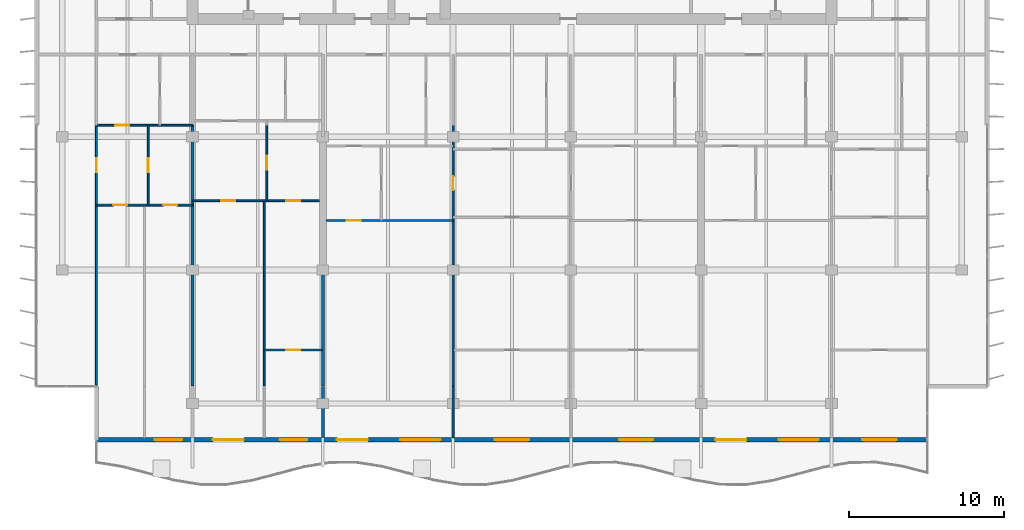
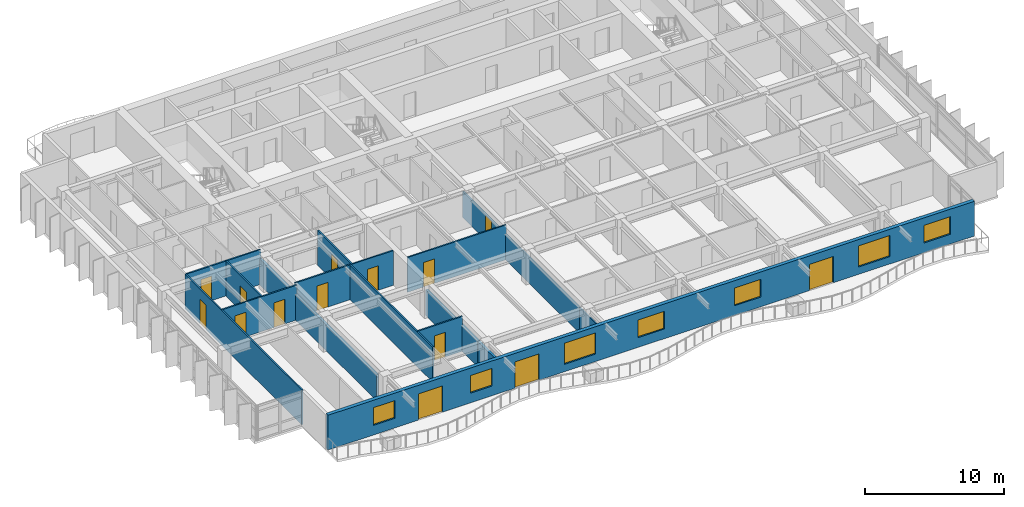
# One storey, part 6 of 16: 15 walls, 14 doors, 7 windows, 21 openings.
"""IFC4 building model written with IfcOpenShell, lengths in metres."""

from ifc_helpers import new_model, si_unit, direction, frame, frame_2d, origin, place, context, subcontext, project, spatial, rectangle, extrude, material, layer, layer_set, type_object, element, fill, save


model = new_model("IFC4")

# Units and contexts
model_context = context("Model", 3, precision=1e-05, world=origin(), true_north=direction((0.0, 1.0)))
body_context = subcontext(model_context, "Body", "Model", "MODEL_VIEW")
ifc_project = project(units=[si_unit("LENGTHUNIT", "METRE"), si_unit("AREAUNIT", "SQUARE_METRE"), si_unit("VOLUMEUNIT", "CUBIC_METRE"), si_unit("PLANEANGLEUNIT", "RADIAN"), si_unit("MASSUNIT", "GRAM", prefix="KILO")], contexts=[model_context])

# Site, building, storey
site_placement = place(None, origin())
site = spatial("IfcSite", under=ifc_project, at=site_placement, CompositionType="ELEMENT")
building_placement = place(site_placement, origin())
building = spatial("IfcBuilding", under=site, at=building_placement, Name="Caelmar Bay Residences", CompositionType="ELEMENT")
storey_placement = place(building_placement, frame((0.0, 0.0, 252.89990234375)))
storey = spatial("IfcBuildingStorey", under=building, at=storey_placement, Name="L71", CompositionType="ELEMENT", Elevation=252.89990234375)

# Wall, openings, doors, windows
ifc_material_1 = material(Name="Precast concrete f'c 40 MPa (6,000 psi)", Category="concrete")
ifc_layer_1 = layer(ifc_material_1, 0.300048828125)
ifc_layer_set_1 = layer_set([ifc_layer_1], Name="Precast concrete f'c 40 MPa (6,000 psi)")
wall_type_1 = type_object("IfcWallType", Name="W-EXT-300", PredefinedType="STANDARD", material=ifc_layer_set_1)
wall_1_placement = place(storey_placement, frame((65.699951171875, 9.85009765625, 0.0), z_axis=(0.0, 0.0, 1.0), x_axis=(-1.0, 0.0, 0.0)))
wall_1 = element("IfcWall", 1, at=wall_1_placement, inside=storey, type_object=wall_type_1, Name="L71 South Bayfront Exterior Wall", PredefinedType="STANDARD", context=body_context, shape_type="SweptSolid", body=[
    extrude(rectangle(XDim=53.599853515625, YDim=0.300048828125, at=frame_2d((26.7998046875, 0.0))), origin(), (0.0, 0.0, 1.0), 3.050048828125),
])
opening_1_placement = place(wall_1_placement, frame((48.050048828125, 0.0, 0.85009765625)))
opening_1 = element("IfcOpeningElement", 2, at=opening_1_placement, cuts=wall_1, Name="Opening WN1", PredefinedType="OPENING", context=body_context, shape_type="SweptSolid", body=[
    extrude(rectangle(XDim=1.800048828125, YDim=1.550048828125, at=frame_2d((0.89990234375, 0.77490234375))), frame((0.0, 0.159912109375, 0.0), z_axis=(0.0, -1.0, 0.0), x_axis=(1.0, 0.0, 0.0)), (0.0, 0.0, 1.0), 0.320068359375),
])
opening_2_placement = place(wall_1_placement, frame((44.090087890625, 0.0, 0.0)))
opening_2 = element("IfcOpeningElement", 3, at=opening_2_placement, cuts=wall_1, Name="Opening L71-BD01", PredefinedType="OPENING", context=body_context, shape_type="SweptSolid", body=[
    extrude(rectangle(XDim=2.0, YDim=2.300048828125, at=frame_2d((1.0, 1.14990234375))), frame((0.0, 0.159912109375, 0.0), z_axis=(0.0, -1.0, 0.0), x_axis=(1.0, 0.0, 0.0)), (0.0, 0.0, 1.0), 0.320068359375),
])
opening_3_placement = place(wall_1_placement, frame((39.989990234375, 0.0, 0.85009765625)))
opening_3 = element("IfcOpeningElement", 4, at=opening_3_placement, cuts=wall_1, Name="Opening WN1", PredefinedType="OPENING", context=body_context, shape_type="SweptSolid", body=[
    extrude(rectangle(XDim=1.800048828125, YDim=1.550048828125, at=frame_2d((0.89990234375, 0.77490234375))), frame((0.0, 0.159912109375, 0.0), z_axis=(0.0, -1.0, 0.0), x_axis=(1.0, 0.0, 0.0)), (0.0, 0.0, 1.0), 0.320068359375),
])
opening_4_placement = place(wall_1_placement, frame((36.090087890625, 0.0, 0.0)))
opening_4 = element("IfcOpeningElement", 5, at=opening_4_placement, cuts=wall_1, Name="Opening L71-BD02", PredefinedType="OPENING", context=body_context, shape_type="SweptSolid", body=[
    extrude(rectangle(XDim=2.0, YDim=2.300048828125, at=frame_2d((1.0, 1.14990234375))), frame((0.0, 0.159912109375, 0.0), z_axis=(0.0, -1.0, 0.0), x_axis=(1.0, 0.0, 0.0)), (0.0, 0.0, 1.0), 0.320068359375),
])
opening_5_placement = place(wall_1_placement, frame((31.409912109375, 0.0, 0.64990234375)))
opening_5 = element("IfcOpeningElement", 6, at=opening_5_placement, cuts=wall_1, Name="Opening WN3", PredefinedType="OPENING", context=body_context, shape_type="SweptSolid", body=[
    extrude(rectangle(XDim=2.60009765625, YDim=1.85009765625, at=frame_2d((1.300048828125, 0.925048828125))), frame((0.0, 0.159912109375, 0.0), z_axis=(0.0, -1.0, 0.0), x_axis=(1.0, 0.0, 0.0)), (0.0, 0.0, 1.0), 0.320068359375),
])
opening_6_placement = place(wall_1_placement, frame((25.699951171875, 0.0, 0.85009765625)))
opening_6 = element("IfcOpeningElement", 7, at=opening_6_placement, cuts=wall_1, Name="Opening WN2", PredefinedType="OPENING", context=body_context, shape_type="SweptSolid", body=[
    extrude(rectangle(XDim=2.199951171875, YDim=1.550048828125, at=frame_2d((1.10009765625, 0.77490234375))), frame((0.0, 0.159912109375, 0.0), z_axis=(0.0, -1.0, 0.0), x_axis=(1.0, 0.0, 0.0)), (0.0, 0.0, 1.0), 0.320068359375),
])
opening_7_placement = place(wall_1_placement, frame((17.699951171875, 0.0, 0.85009765625)))
opening_7 = element("IfcOpeningElement", 8, at=opening_7_placement, cuts=wall_1, Name="Opening WN2", PredefinedType="OPENING", context=body_context, shape_type="SweptSolid", body=[
    extrude(rectangle(XDim=2.199951171875, YDim=1.550048828125, at=frame_2d((1.10009765625, 0.77490234375))), frame((0.0, 0.159912109375, 0.0), z_axis=(0.0, -1.0, 0.0), x_axis=(1.0, 0.0, 0.0)), (0.0, 0.0, 1.0), 0.320068359375),
])
opening_8_placement = place(wall_1_placement, frame((11.68994140625, 0.0, 0.0)))
opening_8 = element("IfcOpeningElement", 9, at=opening_8_placement, cuts=wall_1, Name="Opening L71-BD03", PredefinedType="OPENING", context=body_context, shape_type="SweptSolid", body=[
    extrude(rectangle(XDim=2.0, YDim=2.300048828125, at=frame_2d((1.0, 1.14990234375))), frame((0.0, 0.159912109375, 0.0), z_axis=(0.0, -1.0, 0.0), x_axis=(1.0, 0.0, 0.0)), (0.0, 0.0, 1.0), 0.320068359375),
])
opening_9_placement = place(wall_1_placement, frame((7.010009765625, 0.0, 0.64990234375)))
opening_9 = element("IfcOpeningElement", 10, at=opening_9_placement, cuts=wall_1, Name="Opening WN3", PredefinedType="OPENING", context=body_context, shape_type="SweptSolid", body=[
    extrude(rectangle(XDim=2.60009765625, YDim=1.85009765625, at=frame_2d((1.300048828125, 0.925048828125))), frame((0.0, 0.159912109375, 0.0), z_axis=(0.0, -1.0, 0.0), x_axis=(1.0, 0.0, 0.0)), (0.0, 0.0, 1.0), 0.320068359375),
])
opening_10_placement = place(wall_1_placement, frame((2.0, 0.0, 0.85009765625)))
opening_10 = element("IfcOpeningElement", 11, at=opening_10_placement, cuts=wall_1, Name="Opening WN2", PredefinedType="OPENING", context=body_context, shape_type="SweptSolid", body=[
    extrude(rectangle(XDim=2.199951171875, YDim=1.550048828125, at=frame_2d((1.10009765625, 0.77490234375))), frame((0.0, 0.159912109375, 0.0), z_axis=(0.0, -1.0, 0.0), x_axis=(1.0, 0.0, 0.0)), (0.0, 0.0, 1.0), 0.320068359375),
])
ifc_material_2 = material(Name="Anodised bronze thermally broken sliding glass door", Category="glass")
ifc_layer_2 = layer(ifc_material_2, 0.050048828125)
ifc_layer_set_2 = layer_set([ifc_layer_2], Name="Anodised bronze thermally broken sliding glass door")
door_type_1 = type_object("IfcDoorType", Name="D-BAL-2000", OperationType="DOUBLE_DOOR_SLIDING", PredefinedType="DOOR", material=ifc_layer_set_2)
door_1_placement = place(opening_2_placement, origin())
door_1 = element("IfcDoor", 12, at=door_1_placement, inside=storey, type_object=door_type_1, Name="L71 Residence 02 Living Room Balcony Door", OperationType="DOUBLE_DOOR_SLIDING", OverallHeight=2.300048828125, OverallWidth=2.0, PredefinedType="DOOR", context=body_context, shape_type="SweptSolid", body=[
    extrude(rectangle(XDim=2.0, YDim=2.300048828125, at=frame_2d((1.0, 1.14990234375))), frame((0.0, 0.02490234375, 0.0), z_axis=(0.0, -1.0, 0.0), x_axis=(1.0, 0.0, 0.0)), (0.0, 0.0, 1.0), 0.050048828125),
])
fill(opening_2, door_1)
door_2_placement = place(opening_4_placement, origin())
door_2 = element("IfcDoor", 13, at=door_2_placement, inside=storey, type_object=door_type_1, Name="L71 Residence 03 Penthouse Living Salon Balcony Door", OperationType="DOUBLE_DOOR_SLIDING", OverallHeight=2.300048828125, OverallWidth=2.0, PredefinedType="DOOR", context=body_context, shape_type="SweptSolid", body=[
    extrude(rectangle(XDim=2.0, YDim=2.300048828125, at=frame_2d((1.0, 1.14990234375))), frame((0.0, 0.02490234375, 0.0), z_axis=(0.0, -1.0, 0.0), x_axis=(1.0, 0.0, 0.0)), (0.0, 0.0, 1.0), 0.050048828125),
])
fill(opening_4, door_2)
door_3_placement = place(opening_8_placement, origin())
door_3 = element("IfcDoor", 14, at=door_3_placement, inside=storey, type_object=door_type_1, Name="L71 Residence 04 Penthouse Living Salon Balcony Door", OperationType="DOUBLE_DOOR_SLIDING", OverallHeight=2.300048828125, OverallWidth=2.0, PredefinedType="DOOR", context=body_context, shape_type="SweptSolid", body=[
    extrude(rectangle(XDim=2.0, YDim=2.300048828125, at=frame_2d((1.0, 1.14990234375))), frame((0.0, 0.02490234375, 0.0), z_axis=(0.0, -1.0, 0.0), x_axis=(1.0, 0.0, 0.0)), (0.0, 0.0, 1.0), 0.050048828125),
])
fill(opening_8, door_3)
ifc_material_3 = material(Name="Bronze aluminium frame with laminated low-E glass", Category="aluminium")
ifc_layer_3 = layer(ifc_material_3, 0.06005859375)
ifc_layer_set_3 = layer_set([ifc_layer_3], Name="Bronze aluminium frame with laminated low-E glass")
window_type_1 = type_object("IfcWindowType", Name="WIN-BR-1800", PartitioningType="SINGLE_PANEL", PredefinedType="WINDOW", material=ifc_layer_set_3)
window_1_placement = place(opening_1_placement, origin())
window_1 = element("IfcWindow", 15, at=window_1_placement, inside=storey, type_object=window_type_1, Name="L71 Residence 01 Primary Bedroom Window", OverallHeight=1.550048828125, OverallWidth=1.800048828125, PartitioningType="SINGLE_PANEL", PredefinedType="WINDOW", context=body_context, shape_type="SweptSolid", body=[
    extrude(rectangle(XDim=1.800048828125, YDim=1.550048828125, at=frame_2d((0.89990234375, 0.77490234375))), frame((0.0, 0.030029296875, 0.0), z_axis=(0.0, -1.0, 0.0), x_axis=(1.0, 0.0, 0.0)), (0.0, 0.0, 1.0), 0.06005859375),
])
fill(opening_1, window_1)
window_2_placement = place(opening_3_placement, origin())
window_2 = element("IfcWindow", 16, at=window_2_placement, inside=storey, type_object=window_type_1, Name="L71 Residence 02 Primary Bedroom Window", OverallHeight=1.550048828125, OverallWidth=1.800048828125, PartitioningType="SINGLE_PANEL", PredefinedType="WINDOW", context=body_context, shape_type="SweptSolid", body=[
    extrude(rectangle(XDim=1.800048828125, YDim=1.550048828125, at=frame_2d((0.89990234375, 0.77490234375))), frame((0.0, 0.030029296875, 0.0), z_axis=(0.0, -1.0, 0.0), x_axis=(1.0, 0.0, 0.0)), (0.0, 0.0, 1.0), 0.06005859375),
])
fill(opening_3, window_2)
ifc_layer_4 = layer(ifc_material_3, 0.06005859375)
ifc_layer_set_4 = layer_set([ifc_layer_4], Name="Bronze aluminium frame with laminated low-E glass")
window_type_2 = type_object("IfcWindowType", Name="WIN-BR-2200", PartitioningType="SINGLE_PANEL", PredefinedType="WINDOW", material=ifc_layer_set_4)
window_3_placement = place(opening_6_placement, origin())
window_3 = element("IfcWindow", 17, at=window_3_placement, inside=storey, type_object=window_type_2, Name="L71 Residence 03 Primary Bedroom 1 Window", OverallHeight=1.550048828125, OverallWidth=2.199951171875, PartitioningType="SINGLE_PANEL", PredefinedType="WINDOW", context=body_context, shape_type="SweptSolid", body=[
    extrude(rectangle(XDim=2.199951171875, YDim=1.550048828125, at=frame_2d((1.10009765625, 0.77490234375))), frame((0.0, 0.030029296875, 0.0), z_axis=(0.0, -1.0, 0.0), x_axis=(1.0, 0.0, 0.0)), (0.0, 0.0, 1.0), 0.06005859375),
])
fill(opening_6, window_3)
window_4_placement = place(opening_7_placement, origin())
window_4 = element("IfcWindow", 18, at=window_4_placement, inside=storey, type_object=window_type_2, Name="L71 Residence 03 Primary Bedroom 2 Window", OverallHeight=1.550048828125, OverallWidth=2.199951171875, PartitioningType="SINGLE_PANEL", PredefinedType="WINDOW", context=body_context, shape_type="SweptSolid", body=[
    extrude(rectangle(XDim=2.199951171875, YDim=1.550048828125, at=frame_2d((1.10009765625, 0.77490234375))), frame((0.0, 0.030029296875, 0.0), z_axis=(0.0, -1.0, 0.0), x_axis=(1.0, 0.0, 0.0)), (0.0, 0.0, 1.0), 0.06005859375),
])
fill(opening_7, window_4)
window_5_placement = place(opening_10_placement, origin())
window_5 = element("IfcWindow", 19, at=window_5_placement, inside=storey, type_object=window_type_2, Name="L71 Residence 04 Primary Bedroom 1 Window", OverallHeight=1.550048828125, OverallWidth=2.199951171875, PartitioningType="SINGLE_PANEL", PredefinedType="WINDOW", context=body_context, shape_type="SweptSolid", body=[
    extrude(rectangle(XDim=2.199951171875, YDim=1.550048828125, at=frame_2d((1.10009765625, 0.77490234375))), frame((0.0, 0.030029296875, 0.0), z_axis=(0.0, -1.0, 0.0), x_axis=(1.0, 0.0, 0.0)), (0.0, 0.0, 1.0), 0.06005859375),
])
fill(opening_10, window_5)
ifc_layer_5 = layer(ifc_material_3, 0.06005859375)
ifc_layer_set_5 = layer_set([ifc_layer_5], Name="Bronze aluminium frame with laminated low-E glass")
window_type_3 = type_object("IfcWindowType", Name="WIN-LIV-2600", PartitioningType="SINGLE_PANEL", PredefinedType="WINDOW", material=ifc_layer_set_5)
window_6_placement = place(opening_5_placement, origin())
window_6 = element("IfcWindow", 20, at=window_6_placement, inside=storey, type_object=window_type_3, Name="L71 Residence 03 Penthouse Living Salon Panoramic Window", OverallHeight=1.85009765625, OverallWidth=2.60009765625, PartitioningType="SINGLE_PANEL", PredefinedType="WINDOW", context=body_context, shape_type="SweptSolid", body=[
    extrude(rectangle(XDim=2.60009765625, YDim=1.85009765625, at=frame_2d((1.300048828125, 0.925048828125))), frame((0.0, 0.030029296875, 0.0), z_axis=(0.0, -1.0, 0.0), x_axis=(1.0, 0.0, 0.0)), (0.0, 0.0, 1.0), 0.06005859375),
])
fill(opening_5, window_6)
window_7_placement = place(opening_9_placement, origin())
window_7 = element("IfcWindow", 21, at=window_7_placement, inside=storey, type_object=window_type_3, Name="L71 Residence 04 Penthouse Living Salon Panoramic Window", OverallHeight=1.85009765625, OverallWidth=2.60009765625, PartitioningType="SINGLE_PANEL", PredefinedType="WINDOW", context=body_context, shape_type="SweptSolid", body=[
    extrude(rectangle(XDim=2.60009765625, YDim=1.85009765625, at=frame_2d((1.300048828125, 0.925048828125))), frame((0.0, 0.030029296875, 0.0), z_axis=(0.0, -1.0, 0.0), x_axis=(1.0, 0.0, 0.0)), (0.0, 0.0, 1.0), 0.06005859375),
])
fill(opening_9, window_7)

# Wall, opening, door
ifc_material_4 = material(Name="Acoustic metal-stud gypsum partition 120 mm")
ifc_layer_6 = layer(ifc_material_4, 0.1201171875)
ifc_layer_set_6 = layer_set([ifc_layer_6], Name="Acoustic metal-stud gypsum partition 120 mm")
wall_type_2 = type_object("IfcWallType", Name="W-PRT-120", PredefinedType="PARTITIONING", material=ifc_layer_set_6)
wall_2_placement = place(storey_placement, frame((12.10009765625, 13.385009765625, 0.0), z_axis=(0.0, 0.0, 1.0), x_axis=(0.0, 1.0, 0.0)))
wall_2 = element("IfcWall", 22, at=wall_2_placement, inside=storey, type_object=wall_type_2, Name="L71 Partition Wall V001", PredefinedType="PARTITIONING", context=body_context, shape_type="SweptSolid", body=[
    extrude(rectangle(XDim=16.7548828125, YDim=0.1201171875, at=frame_2d((8.37744140625, 0.0))), origin(), (0.0, 0.0, 1.0), 3.050048828125),
])
opening_11_placement = place(wall_2_placement, frame((13.72998046875, 0.0, 0.0)))
opening_11 = element("IfcOpeningElement", 23, at=opening_11_placement, cuts=wall_2, Name="Opening D-L71-162", PredefinedType="OPENING", context=body_context, shape_type="SweptSolid", body=[
    extrude(rectangle(XDim=0.89990234375, YDim=2.14990234375, at=frame_2d((0.449951171875, 1.074951171875))), frame((0.0, 0.070068359375, 0.0), z_axis=(0.0, -1.0, 0.0), x_axis=(1.0, 0.0, 0.0)), (0.0, 0.0, 1.0), 0.14013671875),
])
ifc_material_5 = material(Name="Solid walnut timber interior door leaf and frame", Category="wood")
ifc_layer_7 = layer(ifc_material_5, 0.050048828125)
ifc_layer_set_7 = layer_set([ifc_layer_7], Name="Solid walnut timber interior door leaf and frame")
door_type_2 = type_object("IfcDoorType", Name="D-ROOM-900", OperationType="NOTDEFINED", PredefinedType="DOOR", material=ifc_layer_set_7)
door_4_placement = place(opening_11_placement, origin())
door_4 = element("IfcDoor", 24, at=door_4_placement, inside=storey, type_object=door_type_2, Name="L71 Residence 01 Penthouse West Salon Door", OperationType="SINGLE_SWING_LEFT", OverallHeight=2.14990234375, OverallWidth=0.89990234375, PredefinedType="DOOR", context=body_context, shape_type="SweptSolid", body=[
    extrude(rectangle(XDim=0.89990234375, YDim=2.14990234375, at=frame_2d((0.449951171875, 1.074951171875))), frame((0.0, 0.02490234375, 0.0), z_axis=(0.0, -1.0, 0.0), x_axis=(1.0, 0.0, 0.0)), (0.0, 0.0, 1.0), 0.050048828125),
])
fill(opening_11, door_4)

wall_3_placement = place(storey_placement, frame((15.447998046875, 24.989990234375, 0.0), z_axis=(0.0, 0.0, 1.0), x_axis=(0.0, 1.0, 0.0)))
wall_3 = element("IfcWall", 25, at=wall_3_placement, inside=storey, type_object=wall_type_2, Name="L71 Partition Wall V007", PredefinedType="PARTITIONING", context=body_context, shape_type="SweptSolid", body=[
    extrude(rectangle(XDim=5.14990234375, YDim=0.1201171875, at=frame_2d((2.574951171875, 0.0))), origin(), (0.0, 0.0, 1.0), 3.050048828125),
])
opening_12_placement = place(wall_3_placement, frame((2.125, 0.0, 0.0)))
opening_12 = element("IfcOpeningElement", 26, at=opening_12_placement, cuts=wall_3, Name="Opening D-L71-127", PredefinedType="OPENING", context=body_context, shape_type="SweptSolid", body=[
    extrude(rectangle(XDim=0.89990234375, YDim=2.14990234375, at=frame_2d((0.449951171875, 1.074951171875))), frame((0.0, 0.070068359375, 0.0), z_axis=(0.0, -1.0, 0.0), x_axis=(1.0, 0.0, 0.0)), (0.0, 0.0, 1.0), 0.14013671875),
])
door_5_placement = place(opening_12_placement, origin())
door_5 = element("IfcDoor", 27, at=door_5_placement, inside=storey, type_object=door_type_2, Name="L71 Residence 01 Private Meeting Room Door", OperationType="SINGLE_SWING_RIGHT", OverallHeight=2.14990234375, OverallWidth=0.89990234375, PredefinedType="DOOR", context=body_context, shape_type="SweptSolid", body=[
    extrude(rectangle(XDim=0.89990234375, YDim=2.14990234375, at=frame_2d((0.449951171875, 1.074951171875))), frame((0.0, 0.02490234375, 0.0), z_axis=(0.0, -1.0, 0.0), x_axis=(1.0, 0.0, 0.0)), (0.0, 0.0, 1.0), 0.050048828125),
])
fill(opening_12, door_5)

# Wall
wall_4_placement = place(storey_placement, frame((22.919921875, 13.340087890625, 0.0), z_axis=(0.0, 0.0, 1.0), x_axis=(0.0, 1.0, 0.0)))
element("IfcWall", 28, at=wall_4_placement, inside=storey, type_object=wall_type_2, Name="L71 Partition Wall V015", PredefinedType="PARTITIONING", context=body_context, shape_type="SweptSolid", body=[
    extrude(rectangle(XDim=11.929931640625, YDim=0.1201171875, at=frame_2d((5.96484375, 0.0))), origin(), (0.0, 0.0, 1.0), 3.050048828125),
])

# Wall, opening, door
wall_5_placement = place(storey_placement, frame((23.0859375, 25.27490234375, 0.0), z_axis=(0.0, 0.0, 1.0), x_axis=(0.0, 1.0, 0.0)))
wall_5 = element("IfcWall", 29, at=wall_5_placement, inside=storey, type_object=wall_type_2, Name="L71 Partition Wall V016", PredefinedType="PARTITIONING", context=body_context, shape_type="SweptSolid", body=[
    extrude(rectangle(XDim=4.864990234375, YDim=0.1201171875, at=frame_2d((2.4326171875, 0.0))), origin(), (0.0, 0.0, 1.0), 3.050048828125),
])
opening_13_placement = place(wall_5_placement, frame((1.982421875, 0.0, 0.0)))
opening_13 = element("IfcOpeningElement", 30, at=opening_13_placement, cuts=wall_5, Name="Opening D-L71-133", PredefinedType="OPENING", context=body_context, shape_type="SweptSolid", body=[
    extrude(rectangle(XDim=0.89990234375, YDim=2.14990234375, at=frame_2d((0.449951171875, 1.074951171875))), frame((0.0, 0.070068359375, 0.0), z_axis=(0.0, -1.0, 0.0), x_axis=(1.0, 0.0, 0.0)), (0.0, 0.0, 1.0), 0.14013671875),
])
door_6_placement = place(opening_13_placement, origin())
door_6 = element("IfcDoor", 31, at=door_6_placement, inside=storey, type_object=door_type_2, Name="L71 Residence 02 Private Meeting Room Door", OperationType="SINGLE_SWING_RIGHT", OverallHeight=2.14990234375, OverallWidth=0.89990234375, PredefinedType="DOOR", context=body_context, shape_type="SweptSolid", body=[
    extrude(rectangle(XDim=0.89990234375, YDim=2.14990234375, at=frame_2d((0.449951171875, 1.074951171875))), frame((0.0, 0.02490234375, 0.0), z_axis=(0.0, -1.0, 0.0), x_axis=(1.0, 0.0, 0.0)), (0.0, 0.0, 1.0), 0.050048828125),
])
fill(opening_13, door_6)

# Wall
wall_6_placement = place(storey_placement, frame((35.10009765625, 9.9951171875, 0.0), z_axis=(0.0, 0.0, 1.0), x_axis=(0.0, 1.0, 0.0)))
element("IfcWall", 32, at=wall_6_placement, inside=storey, type_object=wall_type_2, Name="L71 Partition Wall V031", PredefinedType="PARTITIONING", context=body_context, shape_type="SweptSolid", body=[
    extrude(rectangle(XDim=3.304931640625, YDim=0.1201171875, at=frame_2d((1.65234375, 0.0))), origin(), (0.0, 0.0, 1.0), 2.26318359375),
])

# Wall, opening, door
wall_7_placement = place(storey_placement, frame((35.10009765625, 13.340087890625, 0.0), z_axis=(0.0, 0.0, 1.0), x_axis=(0.0, 1.0, 0.0)))
wall_7 = element("IfcWall", 33, at=wall_7_placement, inside=storey, type_object=wall_type_2, Name="L71 Partition Wall V032", PredefinedType="PARTITIONING", context=body_context, shape_type="SweptSolid", body=[
    extrude(rectangle(XDim=16.7998046875, YDim=0.1201171875, at=frame_2d((8.39990234375, 0.0))), origin(), (0.0, 0.0, 1.0), 2.26318359375),
])
opening_14_placement = place(wall_7_placement, frame((12.610107421875, 0.0, 0.0)))
opening_14 = element("IfcOpeningElement", 34, at=opening_14_placement, cuts=wall_7, Name="Opening D-L71-142", PredefinedType="OPENING", context=body_context, shape_type="SweptSolid", body=[
    extrude(rectangle(XDim=0.89990234375, YDim=2.14990234375, at=frame_2d((0.449951171875, 1.074951171875))), frame((0.0, 0.070068359375, 0.0), z_axis=(0.0, -1.0, 0.0), x_axis=(1.0, 0.0, 0.0)), (0.0, 0.0, 1.0), 0.14013671875),
])
door_7_placement = place(opening_14_placement, origin())
door_7 = element("IfcDoor", 35, at=door_7_placement, inside=storey, type_object=door_type_2, Name="L71 Residence 03 Conference Study 1 Door", OperationType="SINGLE_SWING_LEFT", OverallHeight=2.14990234375, OverallWidth=0.89990234375, PredefinedType="DOOR", context=body_context, shape_type="SweptSolid", body=[
    extrude(rectangle(XDim=0.89990234375, YDim=2.14990234375, at=frame_2d((0.449951171875, 1.074951171875))), frame((0.0, 0.02490234375, 0.0), z_axis=(0.0, -1.0, 0.0), x_axis=(1.0, 0.0, 0.0)), (0.0, 0.0, 1.0), 0.050048828125),
])
fill(opening_14, door_7)

wall_8_placement = place(storey_placement, frame((22.919921875, 15.64990234375, 0.0), z_axis=(0.0, 0.0, 1.0), x_axis=(1.0, 0.0, 0.0)))
wall_8 = element("IfcWall", 36, at=wall_8_placement, inside=storey, type_object=wall_type_2, Name="L71 Partition Wall H067", PredefinedType="PARTITIONING", context=body_context, shape_type="SweptSolid", body=[
    extrude(rectangle(XDim=3.72998046875, YDim=0.1201171875, at=frame_2d((1.864990234375, 0.0))), origin(), (0.0, 0.0, 1.0), 3.050048828125),
])
opening_15_placement = place(wall_8_placement, frame((1.4150390625, 0.0, 0.0)))
opening_15 = element("IfcOpeningElement", 37, at=opening_15_placement, cuts=wall_8, Name="Opening D-L71-136", PredefinedType="OPENING", context=body_context, shape_type="SweptSolid", body=[
    extrude(rectangle(XDim=0.89990234375, YDim=2.14990234375, at=frame_2d((0.449951171875, 1.074951171875))), frame((0.0, 0.070068359375, 0.0), z_axis=(0.0, -1.0, 0.0), x_axis=(1.0, 0.0, 0.0)), (0.0, 0.0, 1.0), 0.14013671875),
])
door_8_placement = place(opening_15_placement, origin())
door_8 = element("IfcDoor", 38, at=door_8_placement, inside=storey, type_object=door_type_2, Name="L71 Residence 02 Primary Bedroom Door", OperationType="SINGLE_SWING_LEFT", OverallHeight=2.14990234375, OverallWidth=0.89990234375, PredefinedType="DOOR", context=body_context, shape_type="SweptSolid", body=[
    extrude(rectangle(XDim=0.89990234375, YDim=2.14990234375, at=frame_2d((0.449951171875, 1.074951171875))), frame((0.0, 0.02490234375, 0.0), z_axis=(0.0, -1.0, 0.0), x_axis=(1.0, 0.0, 0.0)), (0.0, 0.0, 1.0), 0.050048828125),
])
fill(opening_15, door_8)

wall_9_placement = place(storey_placement, frame((26.919921875, 24.0, 0.0), z_axis=(0.0, 0.0, 1.0), x_axis=(1.0, 0.0, 0.0)))
wall_9 = element("IfcWall", 39, at=wall_9_placement, inside=storey, type_object=wall_type_2, Name="L71 Partition Wall H070", PredefinedType="PARTITIONING", context=body_context, shape_type="SweptSolid", body=[
    extrude(rectangle(XDim=8.18017578125, YDim=0.1201171875, at=frame_2d((4.090087890625, 0.0))), origin(), (0.0, 0.0, 1.0), 3.050048828125),
])
opening_16_placement = place(wall_9_placement, frame((1.330078125, 0.0, 0.0)))
opening_16 = element("IfcOpeningElement", 40, at=opening_16_placement, cuts=wall_9, Name="Opening D-L71-141", PredefinedType="OPENING", context=body_context, shape_type="SweptSolid", body=[
    extrude(rectangle(XDim=0.89990234375, YDim=2.14990234375, at=frame_2d((0.449951171875, 1.074951171875))), frame((0.0, 0.070068359375, 0.0), z_axis=(0.0, -1.0, 0.0), x_axis=(1.0, 0.0, 0.0)), (0.0, 0.0, 1.0), 0.14013671875),
])
door_9_placement = place(opening_16_placement, origin())
door_9 = element("IfcDoor", 41, at=door_9_placement, inside=storey, type_object=door_type_2, Name="L71 Residence 03 Penthouse Living Salon Door", OperationType="SINGLE_SWING_RIGHT", OverallHeight=2.14990234375, OverallWidth=0.89990234375, PredefinedType="DOOR", context=body_context, shape_type="SweptSolid", body=[
    extrude(rectangle(XDim=0.89990234375, YDim=2.14990234375, at=frame_2d((0.449951171875, 1.074951171875))), frame((0.0, 0.02490234375, 0.0), z_axis=(0.0, -1.0, 0.0), x_axis=(1.0, 0.0, 0.0)), (0.0, 0.0, 1.0), 0.050048828125),
])
fill(opening_16, door_9)

# Wall, openings, doors
wall_10_placement = place(storey_placement, frame((12.10009765625, 24.989990234375, 0.0), z_axis=(0.0, 0.0, 1.0), x_axis=(1.0, 0.0, 0.0)))
wall_10 = element("IfcWall", 42, at=wall_10_placement, inside=storey, type_object=wall_type_2, Name="L71 Partition Wall H075", PredefinedType="PARTITIONING", context=body_context, shape_type="SweptSolid", body=[
    extrude(rectangle(XDim=6.199951171875, YDim=0.1201171875, at=frame_2d((3.10009765625, 0.0))), origin(), (0.0, 0.0, 1.0), 3.050048828125),
])
opening_17_placement = place(wall_10_placement, frame((1.10009765625, 0.0, 0.0)))
opening_17 = element("IfcOpeningElement", 43, at=opening_17_placement, cuts=wall_10, Name="Opening D-L71-128", PredefinedType="OPENING", context=body_context, shape_type="SweptSolid", body=[
    extrude(rectangle(XDim=0.89990234375, YDim=2.14990234375, at=frame_2d((0.449951171875, 1.074951171875))), frame((0.0, 0.070068359375, 0.0), z_axis=(0.0, -1.0, 0.0), x_axis=(1.0, 0.0, 0.0)), (0.0, 0.0, 1.0), 0.14013671875),
])
opening_18_placement = place(wall_10_placement, frame((4.323974609375, 0.0, 0.0)))
opening_18 = element("IfcOpeningElement", 44, at=opening_18_placement, cuts=wall_10, Name="Opening D-L71-129", PredefinedType="OPENING", context=body_context, shape_type="SweptSolid", body=[
    extrude(rectangle(XDim=0.89990234375, YDim=2.14990234375, at=frame_2d((0.449951171875, 1.074951171875))), frame((0.0, 0.070068359375, 0.0), z_axis=(0.0, -1.0, 0.0), x_axis=(1.0, 0.0, 0.0)), (0.0, 0.0, 1.0), 0.14013671875),
])
door_10_placement = place(opening_17_placement, origin())
door_10 = element("IfcDoor", 45, at=door_10_placement, inside=storey, type_object=door_type_2, Name="L71 Residence 01 Living Room Door", OperationType="SINGLE_SWING_LEFT", OverallHeight=2.14990234375, OverallWidth=0.89990234375, PredefinedType="DOOR", context=body_context, shape_type="SweptSolid", body=[
    extrude(rectangle(XDim=0.89990234375, YDim=2.14990234375, at=frame_2d((0.449951171875, 1.074951171875))), frame((0.0, 0.02490234375, 0.0), z_axis=(0.0, -1.0, 0.0), x_axis=(1.0, 0.0, 0.0)), (0.0, 0.0, 1.0), 0.050048828125),
])
fill(opening_17, door_10)
door_11_placement = place(opening_18_placement, origin())
door_11 = element("IfcDoor", 46, at=door_11_placement, inside=storey, type_object=door_type_2, Name="L71 Residence 01 Primary Bedroom Door", OperationType="SINGLE_SWING_RIGHT", OverallHeight=2.14990234375, OverallWidth=0.89990234375, PredefinedType="DOOR", context=body_context, shape_type="SweptSolid", body=[
    extrude(rectangle(XDim=0.89990234375, YDim=2.14990234375, at=frame_2d((0.449951171875, 1.074951171875))), frame((0.0, 0.02490234375, 0.0), z_axis=(0.0, -1.0, 0.0), x_axis=(1.0, 0.0, 0.0)), (0.0, 0.0, 1.0), 0.050048828125),
])
fill(opening_18, door_11)

wall_11_placement = place(storey_placement, frame((18.300048828125, 25.27001953125, 0.0), z_axis=(0.0, 0.0, 1.0), x_axis=(1.0, 0.0, 0.0)))
wall_11 = element("IfcWall", 47, at=wall_11_placement, inside=storey, type_object=wall_type_2, Name="L71 Partition Wall H076", PredefinedType="PARTITIONING", context=body_context, shape_type="SweptSolid", body=[
    extrude(rectangle(XDim=8.179931640625, YDim=0.1201171875, at=frame_2d((4.08984375, 0.0))), origin(), (0.0, 0.0, 1.0), 3.050048828125),
])
opening_19_placement = place(wall_11_placement, frame((1.860107421875, 0.0, 0.0)))
opening_19 = element("IfcOpeningElement", 48, at=opening_19_placement, cuts=wall_11, Name="Opening D-L71-134", PredefinedType="OPENING", context=body_context, shape_type="SweptSolid", body=[
    extrude(rectangle(XDim=0.89990234375, YDim=2.14990234375, at=frame_2d((0.449951171875, 1.074951171875))), frame((0.0, 0.070068359375, 0.0), z_axis=(0.0, -1.0, 0.0), x_axis=(1.0, 0.0, 0.0)), (0.0, 0.0, 1.0), 0.14013671875),
])
opening_20_placement = place(wall_11_placement, frame((6.032958984375, 0.0, 0.0)))
opening_20 = element("IfcOpeningElement", 49, at=opening_20_placement, cuts=wall_11, Name="Opening D-L71-135", PredefinedType="OPENING", context=body_context, shape_type="SweptSolid", body=[
    extrude(rectangle(XDim=0.89990234375, YDim=2.14990234375, at=frame_2d((0.449951171875, 1.074951171875))), frame((0.0, 0.070068359375, 0.0), z_axis=(0.0, -1.0, 0.0), x_axis=(1.0, 0.0, 0.0)), (0.0, 0.0, 1.0), 0.14013671875),
])
door_12_placement = place(opening_19_placement, origin())
door_12 = element("IfcDoor", 50, at=door_12_placement, inside=storey, type_object=door_type_2, Name="L71 Residence 02 Living Room Door", OperationType="SINGLE_SWING_LEFT", OverallHeight=2.14990234375, OverallWidth=0.89990234375, PredefinedType="DOOR", context=body_context, shape_type="SweptSolid", body=[
    extrude(rectangle(XDim=0.89990234375, YDim=2.14990234375, at=frame_2d((0.449951171875, 1.074951171875))), frame((0.0, 0.02490234375, 0.0), z_axis=(0.0, -1.0, 0.0), x_axis=(1.0, 0.0, 0.0)), (0.0, 0.0, 1.0), 0.050048828125),
])
fill(opening_19, door_12)
door_13_placement = place(opening_20_placement, origin())
door_13 = element("IfcDoor", 51, at=door_13_placement, inside=storey, type_object=door_type_2, Name="L71 Residence 02 Bedroom 2 Door", OperationType="SINGLE_SWING_RIGHT", OverallHeight=2.14990234375, OverallWidth=0.89990234375, PredefinedType="DOOR", context=body_context, shape_type="SweptSolid", body=[
    extrude(rectangle(XDim=0.89990234375, YDim=2.14990234375, at=frame_2d((0.449951171875, 1.074951171875))), frame((0.0, 0.02490234375, 0.0), z_axis=(0.0, -1.0, 0.0), x_axis=(1.0, 0.0, 0.0)), (0.0, 0.0, 1.0), 0.050048828125),
])
fill(opening_20, door_13)

# Wall, opening, door
wall_12_placement = place(storey_placement, frame((12.10009765625, 30.139892578125, 0.0), z_axis=(0.0, 0.0, 1.0), x_axis=(1.0, 0.0, 0.0)))
wall_12 = element("IfcWall", 52, at=wall_12_placement, inside=storey, type_object=wall_type_2, Name="L71 Partition Wall H082", PredefinedType="PARTITIONING", context=body_context, shape_type="SweptSolid", body=[
    extrude(rectangle(XDim=6.199951171875, YDim=0.1201171875, at=frame_2d((3.10009765625, 0.0))), origin(), (0.0, 0.0, 1.0), 3.050048828125),
])
opening_21_placement = place(wall_12_placement, frame((1.22412109375, 0.0, 0.0)))
opening_21 = element("IfcOpeningElement", 53, at=opening_21_placement, cuts=wall_12, Name="Opening D-L71-126", PredefinedType="OPENING", context=body_context, shape_type="SweptSolid", body=[
    extrude(rectangle(XDim=0.89990234375, YDim=2.14990234375, at=frame_2d((0.449951171875, 1.074951171875))), frame((0.0, 0.070068359375, 0.0), z_axis=(0.0, -1.0, 0.0), x_axis=(1.0, 0.0, 0.0)), (0.0, 0.0, 1.0), 0.14013671875),
])
door_14_placement = place(opening_21_placement, origin())
door_14 = element("IfcDoor", 54, at=door_14_placement, inside=storey, type_object=door_type_2, Name="L71 Residence 01 Kitchen Door", OperationType="SINGLE_SWING_LEFT", OverallHeight=2.14990234375, OverallWidth=0.89990234375, PredefinedType="DOOR", context=body_context, shape_type="SweptSolid", body=[
    extrude(rectangle(XDim=0.89990234375, YDim=2.14990234375, at=frame_2d((0.449951171875, 1.074951171875))), frame((0.0, 0.02490234375, 0.0), z_axis=(0.0, -1.0, 0.0), x_axis=(1.0, 0.0, 0.0)), (0.0, 0.0, 1.0), 0.050048828125),
])
fill(opening_21, door_14)

# Walls
ifc_material_6 = material(Name="Acoustic twin-stud fire-rated inter-tenancy partition 200 mm")
ifc_layer_8 = layer(ifc_material_6, 0.199951171875)
ifc_layer_set_8 = layer_set([ifc_layer_8], Name="Acoustic twin-stud fire-rated inter-tenancy partition 200 mm")
wall_type_3 = type_object("IfcWallType", Name="W-PTY-200", PredefinedType="PARTITIONING", material=ifc_layer_set_8)
wall_13_placement = place(storey_placement, frame((18.300048828125, 13.340087890625, 0.0), z_axis=(0.0, 0.0, 1.0), x_axis=(0.0, 1.0, 0.0)))
element("IfcWall", 55, at=wall_13_placement, inside=storey, type_object=wall_type_3, Name="L71 Partition Wall V011", PredefinedType="PARTITIONING", context=body_context, shape_type="SweptSolid", body=[
    extrude(rectangle(XDim=16.7998046875, YDim=0.199951171875, at=frame_2d((8.39990234375, 0.0))), origin(), (0.0, 0.0, 1.0), 2.26318359375),
])
wall_14_placement = place(storey_placement, frame((26.699951171875, 9.9951171875, 0.0), z_axis=(0.0, 0.0, 1.0), x_axis=(0.0, 1.0, 0.0)))
element("IfcWall", 56, at=wall_14_placement, inside=storey, type_object=wall_type_3, Name="L71 Partition Wall V021", PredefinedType="PARTITIONING", context=body_context, shape_type="SweptSolid", body=[
    extrude(rectangle(XDim=3.304931640625, YDim=0.199951171875, at=frame_2d((1.65234375, 0.0))), origin(), (0.0, 0.0, 1.0), 2.26318359375),
])
wall_15_placement = place(storey_placement, frame((26.699951171875, 13.340087890625, 0.0), z_axis=(0.0, 0.0, 1.0), x_axis=(0.0, 1.0, 0.0)))
element("IfcWall", 57, at=wall_15_placement, inside=storey, type_object=wall_type_3, Name="L71 Partition Wall V022", PredefinedType="PARTITIONING", context=body_context, shape_type="SweptSolid", body=[
    extrude(rectangle(XDim=7.454833984375, YDim=0.199951171875, at=frame_2d((3.7275390625, 0.0))), origin(), (0.0, 0.0, 1.0), 2.26318359375),
])

save(model, "model.ifc")
